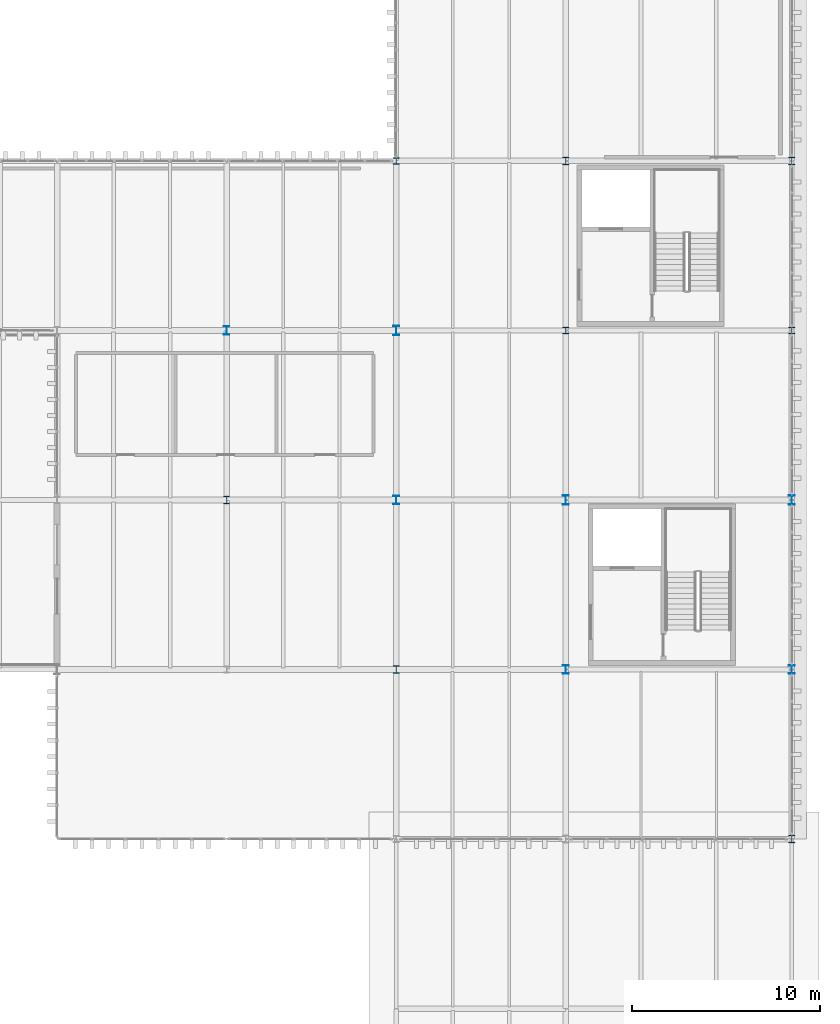
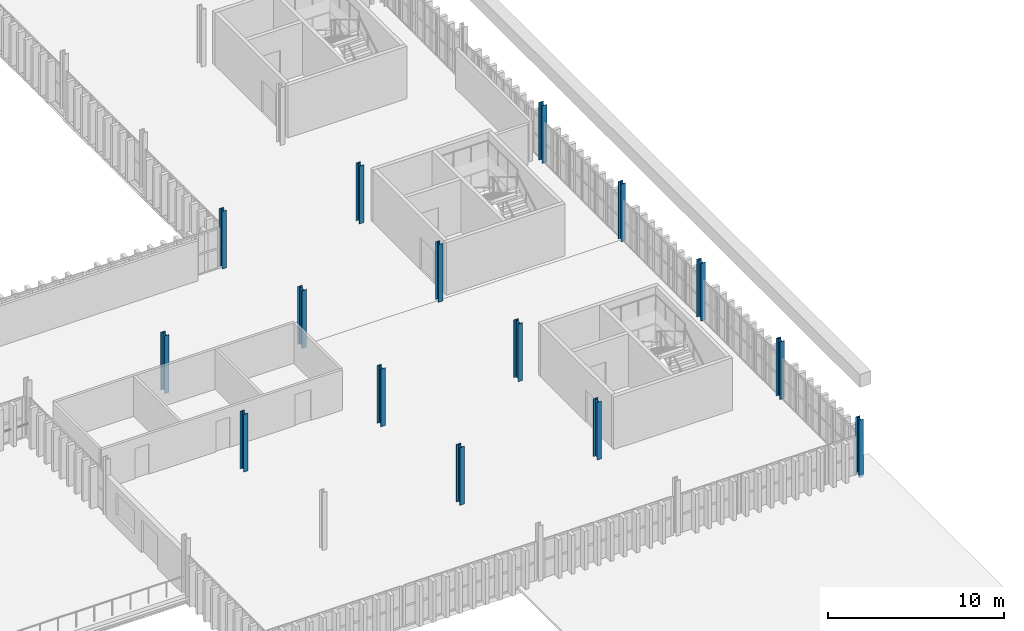
# One storey, part 8 of 102: 15 columns.
"""IFC4 building model written with IfcOpenShell, lengths in metres."""

from ifc_helpers import new_model, si_unit, direction, frame, origin, origin_2d, place, context, subcontext, project, spatial, i_section, extrude, material, material_profile, profile_set, type_object, element, save


model = new_model("IFC4")

# Units and contexts
model_context = context("Model", 3, precision=1e-05, world=origin(), true_north=direction((0.0, 1.0)))
body_context = subcontext(model_context, "Body", "Model", "MODEL_VIEW")
ifc_project = project(units=[si_unit("LENGTHUNIT", "METRE"), si_unit("AREAUNIT", "SQUARE_METRE"), si_unit("VOLUMEUNIT", "CUBIC_METRE"), si_unit("PLANEANGLEUNIT", "RADIAN"), si_unit("MASSUNIT", "GRAM", prefix="KILO")], contexts=[model_context])

# Site, building, storey
site_placement = place(None, origin())
site = spatial("IfcSite", under=ifc_project, at=site_placement, CompositionType="ELEMENT")
building_placement = place(site_placement, origin())
building = spatial("IfcBuilding", under=site, at=building_placement, Name="Barlavento Convention Centre", CompositionType="ELEMENT")
storey_placement = place(building_placement, frame((0.0, 0.0, 22.800048828125)))
storey = spatial("IfcBuildingStorey", under=building, at=storey_placement, Name="L04", CompositionType="ELEMENT", Elevation=22.800048828125)

# Columns
ifc_material = material(Name="Steel S355", Category="steel")
ifc_material_profile_1 = material_profile(ifc_material, i_section(OverallWidth=0.300048828125, OverallDepth=0.340087890625, WebThickness=0.011962890625, FlangeThickness=0.021484375, FilletRadius=0.027099609375, at=origin_2d()), Name="HEB 340")
ifc_profile_set_1 = profile_set([ifc_material_profile_1], Name="Steel S355")
column_type_1 = type_object("IfcColumnType", Name="STR-COL-HEB340", PredefinedType="COLUMN", material=ifc_profile_set_1)
for number, where, z_axis, x_axis, name in (
    (1, (171.0, 63.0, 0.0), (0.0, 0.0, 1.0), (1.0, 0.0, 0.0), "L04 column SC12"),
    (2, (180.0, 54.0, 0.0), (0.0, 0.0, 1.0), (1.0, 0.0, 0.0), "L04 column SC12"),
    (3, (192.0, 54.0, 0.0), (0.0, 0.0, 1.0), (1.0, 0.0, 0.0), "L04 column SC12"),
):
    element("IfcColumn", number, at=place(storey_placement, frame(where, z_axis=z_axis, x_axis=x_axis)), inside=storey, type_object=column_type_1, Name=name, PredefinedType="COLUMN", context=body_context, shape_type="SweptSolid", body=[
        extrude(i_section(OverallWidth=0.300048828125, OverallDepth=0.340087890625, WebThickness=0.011962890625, FlangeThickness=0.021484375, FilletRadius=0.027099609375, at=origin_2d()), origin(), (0.0, 0.0, 1.0), 4.0),
    ])
ifc_material_profile_2 = material_profile(ifc_material, i_section(OverallWidth=0.300048828125, OverallDepth=0.39990234375, WebThickness=0.013427734375, FlangeThickness=0.02392578125, FilletRadius=0.027099609375, at=origin_2d()), Name="HEB 400")
ifc_profile_set_2 = profile_set([ifc_material_profile_2], Name="Steel S355")
column_type_2 = type_object("IfcColumnType", Name="STR-COL-HEB400", PredefinedType="COLUMN", material=ifc_profile_set_2)
for number, where, z_axis, x_axis, name in (
    (4, (162.0, 45.0, 0.0), (0.0, 0.0, 1.0), (1.0, 0.0, 0.0), "L04 column SC11"),
    (5, (171.0, 36.0, 0.0), (0.0, 0.0, 1.0), (1.0, 0.0, 0.0), "L04 column SC11"),
    (6, (180.0, 63.0, 0.0), (0.0, 0.0, 1.0), (1.0, 0.0, 0.0), "L04 column SC11"),
    (7, (192.0, 27.0, 0.0), (0.0, 0.0, 1.0), (1.0, 0.0, 0.0), "L04 column SC11"),
    (8, (192.0, 63.0, 0.0), (0.0, 0.0, 1.0), (1.0, 0.0, 0.0), "L04 column SC11"),
):
    element("IfcColumn", number, at=place(storey_placement, frame(where, z_axis=z_axis, x_axis=x_axis)), inside=storey, type_object=column_type_2, Name=name, PredefinedType="COLUMN", context=body_context, shape_type="SweptSolid", body=[
        extrude(i_section(OverallWidth=0.300048828125, OverallDepth=0.39990234375, WebThickness=0.013427734375, FlangeThickness=0.02392578125, FilletRadius=0.027099609375, at=origin_2d()), origin(), (0.0, 0.0, 1.0), 4.0),
    ])
ifc_material_profile_3 = material_profile(ifc_material, i_section(OverallWidth=0.300048828125, OverallDepth=0.449951171875, WebThickness=0.013916015625, FlangeThickness=0.02587890625, FilletRadius=0.027099609375, at=origin_2d()), Name="HEB 450")
ifc_profile_set_3 = profile_set([ifc_material_profile_3], Name="Steel S355")
column_type_3 = type_object("IfcColumnType", Name="STR-COL-HEB450", PredefinedType="COLUMN", material=ifc_profile_set_3)
for number, where, z_axis, x_axis, name in (
    (9, (162.0, 54.0, 0.0), (0.0, 0.0, 1.0), (1.0, 0.0, 0.0), "L04 column SC10"),
    (10, (171.0, 45.0, 0.0), (0.0, 0.0, 1.0), (1.0, 0.0, 0.0), "L04 column SC10"),
    (11, (180.0, 36.0, 0.0), (0.0, 0.0, 1.0), (1.0, 0.0, 0.0), "L04 column SC10"),
    (12, (192.0, 36.0, 0.0), (0.0, 0.0, 1.0), (1.0, 0.0, 0.0), "L04 column SC10"),
):
    element("IfcColumn", number, at=place(storey_placement, frame(where, z_axis=z_axis, x_axis=x_axis)), inside=storey, type_object=column_type_3, Name=name, PredefinedType="COLUMN", context=body_context, shape_type="SweptSolid", body=[
        extrude(i_section(OverallWidth=0.300048828125, OverallDepth=0.449951171875, WebThickness=0.013916015625, FlangeThickness=0.02587890625, FilletRadius=0.027099609375, at=origin_2d()), origin(), (0.0, 0.0, 1.0), 4.0),
    ])
ifc_material_profile_4 = material_profile(ifc_material, i_section(OverallWidth=0.300048828125, OverallDepth=0.5, WebThickness=0.014404296875, FlangeThickness=0.028076171875, FilletRadius=0.027099609375, at=origin_2d()), Name="HEB 500")
ifc_profile_set_4 = profile_set([ifc_material_profile_4], Name="Steel S355")
column_type_4 = type_object("IfcColumnType", Name="STR-COL-HEB500", PredefinedType="COLUMN", material=ifc_profile_set_4)
for number, where, z_axis, x_axis, name in (
    (13, (171.0, 54.0, 0.0), (0.0, 0.0, 1.0), (1.0, 0.0, 0.0), "L04 column SC09"),
    (14, (180.0, 45.0, 0.0), (0.0, 0.0, 1.0), (1.0, 0.0, 0.0), "L04 column SC09"),
    (15, (192.0, 45.0, 0.0), (0.0, 0.0, 1.0), (1.0, 0.0, 0.0), "L04 column SC09"),
):
    element("IfcColumn", number, at=place(storey_placement, frame(where, z_axis=z_axis, x_axis=x_axis)), inside=storey, type_object=column_type_4, Name=name, PredefinedType="COLUMN", context=body_context, shape_type="SweptSolid", body=[
        extrude(i_section(OverallWidth=0.300048828125, OverallDepth=0.5, WebThickness=0.014404296875, FlangeThickness=0.028076171875, FilletRadius=0.027099609375, at=origin_2d()), origin(), (0.0, 0.0, 1.0), 4.0),
    ])

save(model, "model.ifc")
